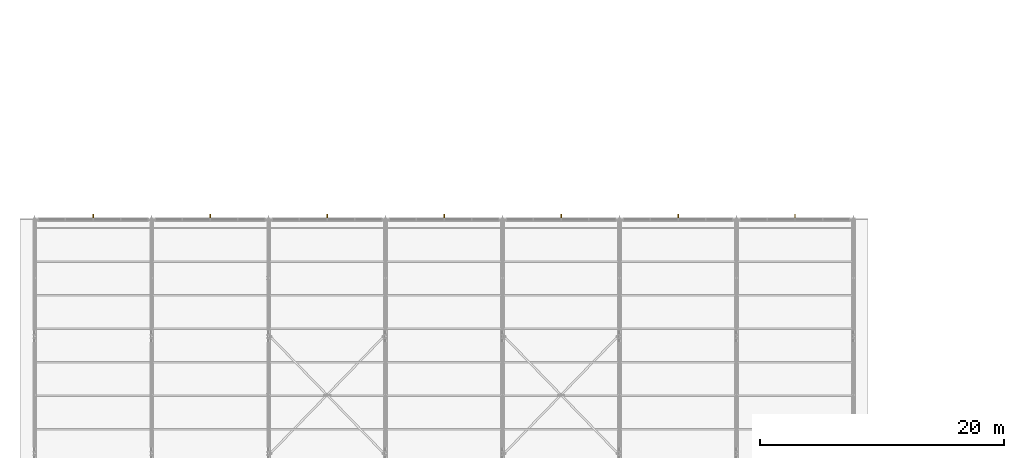
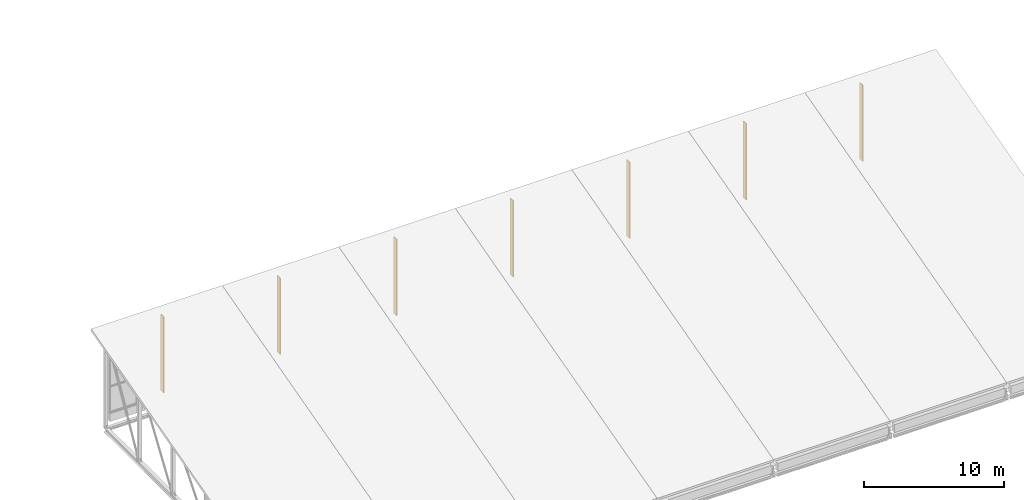
# One storey, part 50 of 57: 7 shading devices.
"""IFC4 building model written with IfcOpenShell, lengths in metres."""

from ifc_helpers import new_model, si_unit, direction, frame, origin, origin_2d, place, context, subcontext, project, spatial, rectangle, extrude, material, type_object, element, save


model = new_model("IFC4")

# Units and contexts
model_context = context("Model", 3, precision=1e-05, world=origin(), true_north=direction((0.0, 1.0)))
body_context = subcontext(model_context, "Body", "Model", "MODEL_VIEW")
ifc_project = project(units=[si_unit("LENGTHUNIT", "METRE"), si_unit("AREAUNIT", "SQUARE_METRE"), si_unit("VOLUMEUNIT", "CUBIC_METRE"), si_unit("PLANEANGLEUNIT", "RADIAN"), si_unit("MASSUNIT", "GRAM", prefix="KILO")], contexts=[model_context])

# Site, building, storey
site_placement = place(None, origin())
site = spatial("IfcSite", under=ifc_project, at=site_placement, CompositionType="ELEMENT")
building_placement = place(site_placement, origin())
building = spatial("IfcBuilding", under=site, at=building_placement, Name="Shalvenor Court Art Gallery", CompositionType="ELEMENT")
storey_placement = place(building_placement, frame((0.0, 0.0, 16.800048828125)))
storey = spatial("IfcBuildingStorey", under=building, at=storey_placement, Name="L03", CompositionType="ELEMENT", Elevation=16.800048828125)

# Shading devices
ifc_material = material(Name="Dark anodised bronze aluminium sunshade fin", Category="aluminium")
shading_device_type = type_object("IfcShadingDeviceType", Name="SHD-02", PredefinedType="USERDEFINED", material=ifc_material)
for number, where, z_axis, x_axis, name in (
    (1, (4.800048828125, 29.02001953125, 0.10009765625), (0.0, 0.0, 1.0), (1.0, 0.0, 0.0), "L03 V4 North Light Baffle Fin 1"),
    (2, (14.39990234375, 29.02001953125, 0.10009765625), (0.0, 0.0, 1.0), (1.0, 0.0, 0.0), "L03 V4 North Light Baffle Fin 2"),
    (3, (24.0, 29.02001953125, 0.10009765625), (0.0, 0.0, 1.0), (1.0, 0.0, 0.0), "L03 V4 North Light Baffle Fin 3"),
    (4, (33.60009765625, 29.02001953125, 0.10009765625), (0.0, 0.0, 1.0), (1.0, 0.0, 0.0), "L03 V4 North Light Baffle Fin 4"),
    (5, (43.199951171875, 29.02001953125, 0.10009765625), (0.0, 0.0, 1.0), (1.0, 0.0, 0.0), "L03 V4 North Light Baffle Fin 5"),
    (6, (52.800048828125, 29.02001953125, 0.10009765625), (0.0, 0.0, 1.0), (1.0, 0.0, 0.0), "L03 V4 North Light Baffle Fin 6"),
    (7, (62.39990234375, 29.02001953125, 0.10009765625), (0.0, 0.0, 1.0), (1.0, 0.0, 0.0), "L03 V4 North Light Baffle Fin 7"),
):
    element("IfcShadingDevice", number, at=place(storey_placement, frame(where, z_axis=z_axis, x_axis=x_axis)), inside=storey, type_object=shading_device_type, Name=name, ObjectType="FIN", PredefinedType="USERDEFINED", context=body_context, shape_type="SweptSolid", body=[
        extrude(rectangle(XDim=0.080078125, YDim=0.39990234375, at=origin_2d()), origin(), (0.0, 0.0, 1.0), 6.64990234375),
    ])

save(model, "model.ifc")
